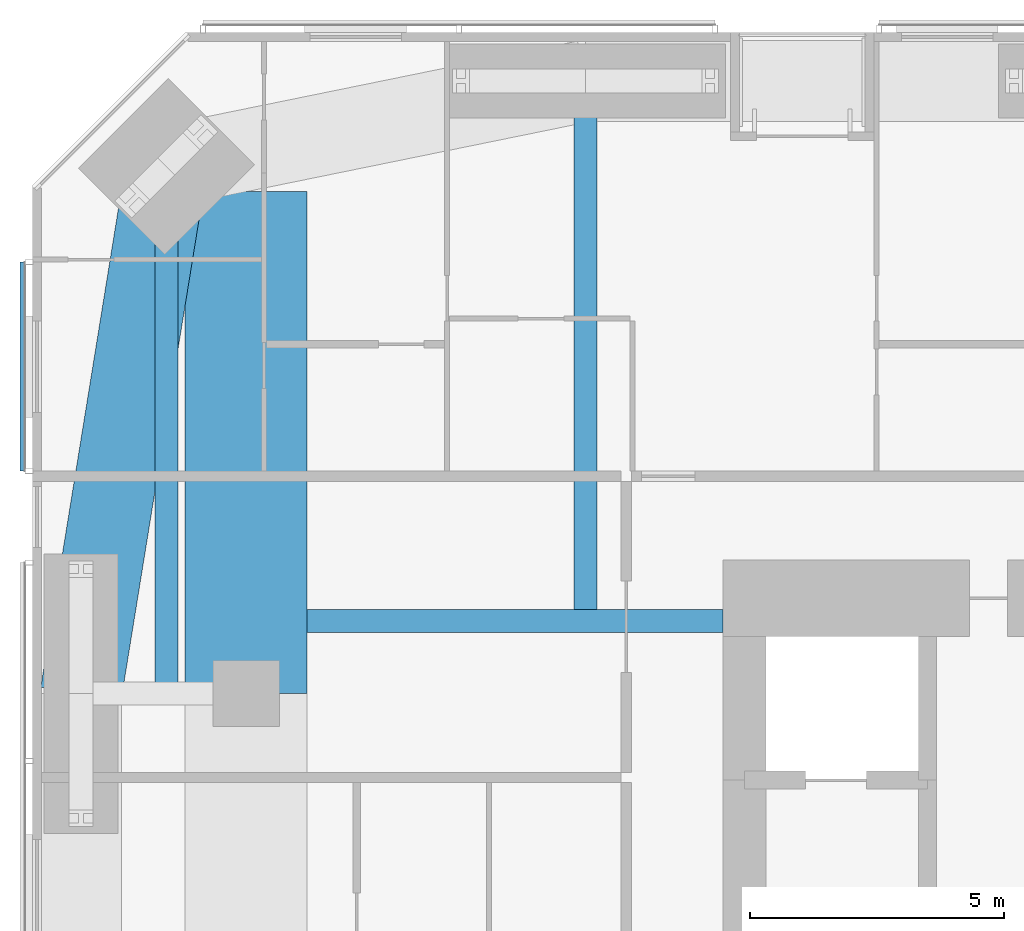
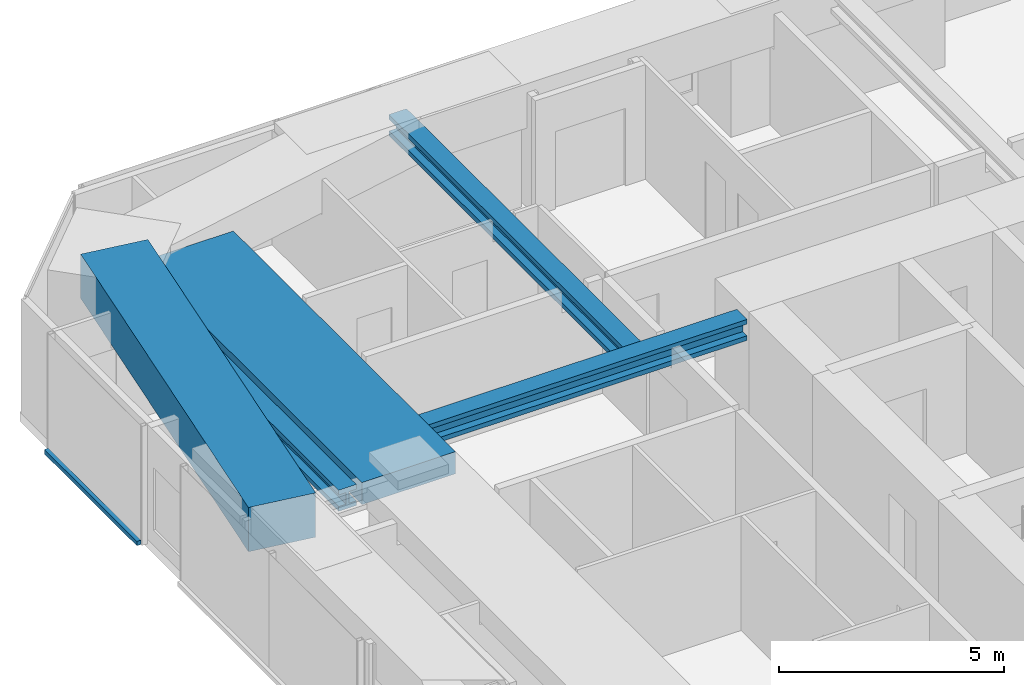
# One storey, part 7 of 24: 5 beams, 1 member, 1 element without a shape of its own.
"""IFC4 building model written with IfcOpenShell, lengths in metres."""

from ifc_helpers import new_model, si_unit, direction, frame, origin, origin_2d, place, context, subcontext, project, spatial, rectangle, i_section, extrude, material, material_profile, profile_set, type_object, element, aggregate, save


model = new_model("IFC4")

# Units and contexts
model_context = context("Model", 3, precision=1e-05, world=origin(), true_north=direction((0.0, 1.0)))
body_context = subcontext(model_context, "Body", "Model", "MODEL_VIEW")
ifc_project = project(units=[si_unit("LENGTHUNIT", "METRE"), si_unit("AREAUNIT", "SQUARE_METRE"), si_unit("VOLUMEUNIT", "CUBIC_METRE"), si_unit("PLANEANGLEUNIT", "RADIAN"), si_unit("MASSUNIT", "GRAM", prefix="KILO")], contexts=[model_context])

# Site, building, storey
site_placement = place(None, origin())
site = spatial("IfcSite", under=ifc_project, at=site_placement, CompositionType="ELEMENT")
building_placement = place(site_placement, origin())
building = spatial("IfcBuilding", under=site, at=building_placement, Name="Jalousie Tower", CompositionType="ELEMENT")
storey_placement = place(building_placement, frame((0.0, 0.0, 135.0)))
storey = spatial("IfcBuildingStorey", under=building, at=storey_placement, Name="L37", CompositionType="ELEMENT", Elevation=135.0)

# Beams
ifc_material_1 = material(Name="Steel ASTM A992 Grade 50", Category="steel")
ifc_material_profile_1 = material_profile(ifc_material_1, i_section(OverallWidth=0.45458984375, OverallDepth=0.569091796875, WebThickness=0.077880859375, FlangeThickness=0.124755859375, at=origin_2d()), Name="W14X730")
ifc_profile_set_1 = profile_set([ifc_material_profile_1], Name="Steel ASTM A992 Grade 50")
beam_type_1 = type_object("IfcBeamType", Name="LEAN COLLECTOR W14X730", PredefinedType="BEAM", material=ifc_profile_set_1)
beam_1_placement = place(storey_placement, frame((11.39990234375, 26.425048828125, 2.825439453125), z_axis=(1.0, 0.0, 0.0), x_axis=(0.0, 1.0, 0.0)))
element("IfcBeam", 1, at=beam_1_placement, inside=storey, type_object=beam_type_1, Name="Lean collector under L38", PredefinedType="BEAM", context=body_context, shape_type="SweptSolid", body=[
    extrude(i_section(OverallWidth=0.45458984375, OverallDepth=0.569091796875, WebThickness=0.077880859375, FlangeThickness=0.124755859375, at=origin_2d()), origin(), (0.0, 0.0, 1.0), 8.175048828125),
])
beam_2_placement = place(storey_placement, frame((8.63134765625, 35.36865234375, 2.825439453125), z_axis=(0.0, -1.0, 0.0), x_axis=(1.0, 0.0, 0.0)))
element("IfcBeam", 2, at=beam_2_placement, inside=storey, type_object=beam_type_1, Name="Lean collector under L38", PredefinedType="BEAM", context=body_context, shape_type="SweptSolid", body=[
    extrude(i_section(OverallWidth=0.45458984375, OverallDepth=0.569091796875, WebThickness=0.077880859375, FlangeThickness=0.124755859375, at=origin_2d()), origin(), (0.0, 0.0, 1.0), 10.36865234375),
])
beam_3_placement = place(storey_placement, frame((16.875, 37.050048828125, 2.825439453125), z_axis=(0.0, -1.0, 0.0), x_axis=(1.0, 0.0, 0.0)))
element("IfcBeam", 3, at=beam_3_placement, inside=storey, type_object=beam_type_1, Name="Lean collector under L38", PredefinedType="BEAM", context=body_context, shape_type="SweptSolid", body=[
    extrude(i_section(OverallWidth=0.45458984375, OverallDepth=0.569091796875, WebThickness=0.077880859375, FlangeThickness=0.124755859375, at=origin_2d()), origin(), (0.0, 0.0, 1.0), 10.625),
])
ifc_material_2 = material(Name="Concrete f'c 40 MPa", Category="concrete")
ifc_material_profile_2 = material_profile(ifc_material_2, rectangle(XDim=1.60009765625, YDim=1.199951171875, at=origin_2d()), Name="RC 1600x1200")
ifc_profile_set_2 = profile_set([ifc_material_profile_2], Name="Concrete f'c 40 MPa")
beam_type_2 = type_object("IfcBeamType", Name="RC BEAM 1600x1200", PredefinedType="BEAM", material=ifc_profile_set_2)
beam_4_placement = place(storey_placement, frame((8.63134765625, 35.36865234375, 2.75), z_axis=(-0.160070546476, -0.987105577003, 0.0), x_axis=(0.987105577003, -0.160070546476, 0.0)))
element("IfcBeam", 4, at=beam_4_placement, inside=storey, type_object=beam_type_2, Name="Edge band beam 12-13 under L38", PredefinedType="BEAM", context=body_context, shape_type="SweptSolid", body=[
    extrude(rectangle(XDim=1.60009765625, YDim=1.199951171875, at=origin_2d()), origin(), (0.0, 0.0, 1.0), 10.504150390625),
])
ifc_material_3 = material(Name="Concrete f'c 40 MPa", Category="concrete")
ifc_material_profile_3 = material_profile(ifc_material_3, rectangle(XDim=2.39990234375, YDim=0.60009765625, at=origin_2d()), Name="RC 2400x600")
ifc_profile_set_3 = profile_set([ifc_material_profile_3], Name="Concrete f'c 40 MPa")
beam_type_3 = type_object("IfcBeamType", Name="RC BEAM 2400x600", PredefinedType="BEAM", material=ifc_profile_set_3)
beam_5_placement = place(storey_placement, frame((10.199951171875, 25.0, 2.81005859375), z_axis=(0.0, 1.0, 0.0), x_axis=(-1.0, 0.0, 0.0)))
element("IfcBeam", 5, at=beam_5_placement, inside=storey, type_object=beam_type_3, Name="Floor band beam under L38", PredefinedType="BEAM", context=body_context, shape_type="SweptSolid", body=[
    extrude(rectangle(XDim=2.39990234375, YDim=0.60009765625, at=origin_2d()), origin(), (0.0, 0.0, 1.0), 9.8720703125),
])

# Curtain wall, member
ifc_material_4 = material(Name="Perforated aluminium sheet", Category="aluminium")
curtain_wall_type = type_object("IfcCurtainWallType", Name="SOLAR SCREEN SS-1", PredefinedType="USERDEFINED", material=ifc_material_4)
curtain_wall_placement = place(storey_placement, origin())
curtain_wall = element("IfcCurtainWall", 6, at=curtain_wall_placement, inside=storey, type_object=curtain_wall_type, Name="Solar screen L37", ObjectType="SOLAR SCREEN SS-1", PredefinedType="USERDEFINED")
ifc_material_5 = material(Name="Extruded aluminium screen rail", Category="aluminium")
ifc_material_profile_4 = material_profile(ifc_material_5, rectangle(XDim=0.1015625, YDim=0.1201171875, at=origin_2d()), Name="RAIL 102x120")
ifc_profile_set_4 = profile_set([ifc_material_profile_4], Name="Extruded aluminium screen rail")
member_type = type_object("IfcMemberType", Name="SOLAR SCREEN SS-1 TRANSOM", PredefinedType="USERDEFINED", material=ifc_profile_set_4)
member_placement = place(storey_placement, frame((5.8017578125, 33.486083984375, -0.06005859375), z_axis=(0.0, -1.0, 0.0), x_axis=(1.0, 0.0, 0.0)))
member = element("IfcMember", 7, at=member_placement, type_object=member_type, Name="SS1 rail", ObjectType="TRANSOM", PredefinedType="USERDEFINED", context=body_context, shape_type="SweptSolid", body=[
    extrude(rectangle(XDim=0.1015625, YDim=0.1201171875, at=origin_2d()), origin(), (0.0, 0.0, 1.0), 4.111083984375),
])
aggregate(curtain_wall, [member])

save(model, "model.ifc")
